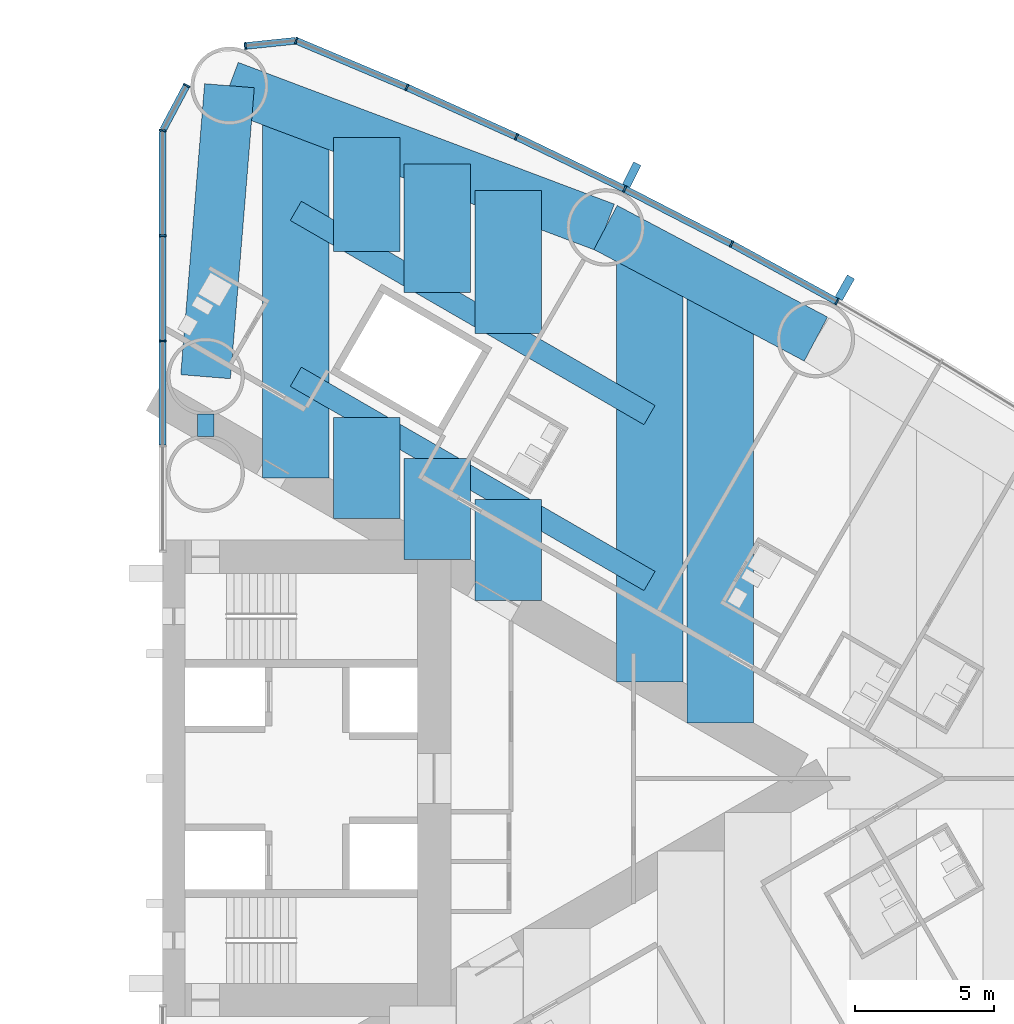
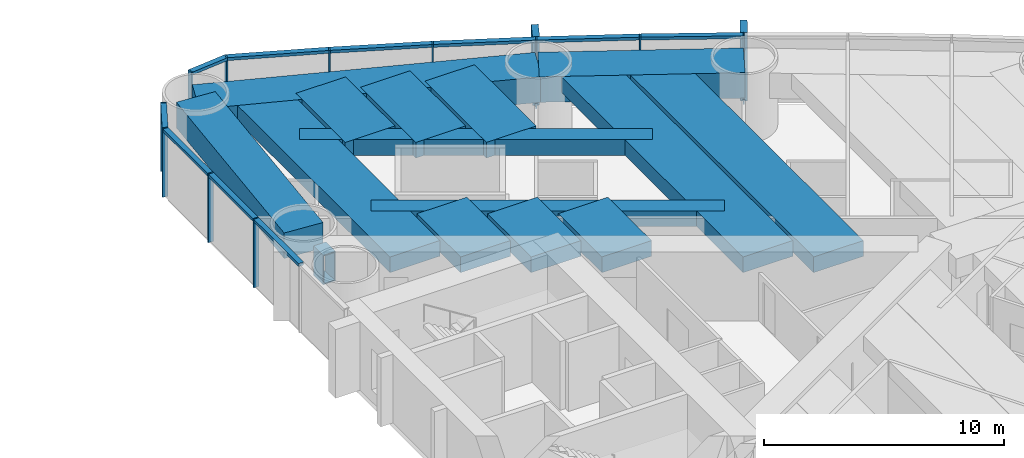
# One storey, part 7 of 19: 23 members, 15 beams, 2 elements without a shape of their own.
"""IFC4 building model written with IfcOpenShell, lengths in metres."""

from ifc_helpers import new_model, si_unit, direction, frame, origin, origin_2d, place, context, subcontext, project, spatial, rectangle, hollow_rectangle, extrude, material, material_profile, profile_set, type_object, element, aggregate, save


model = new_model("IFC4")

# Units and contexts
model_context = context("Model", 3, precision=1e-05, world=origin(), true_north=direction((0.0, 1.0)))
body_context = subcontext(model_context, "Body", "Model", "MODEL_VIEW")
ifc_project = project(units=[si_unit("LENGTHUNIT", "METRE"), si_unit("AREAUNIT", "SQUARE_METRE"), si_unit("VOLUMEUNIT", "CUBIC_METRE"), si_unit("PLANEANGLEUNIT", "RADIAN"), si_unit("MASSUNIT", "GRAM", prefix="KILO")], contexts=[model_context])

# Site, building, storey
site_placement = place(None, origin())
site = spatial("IfcSite", under=ifc_project, at=site_placement, CompositionType="ELEMENT")
building_placement = place(site_placement, origin())
building = spatial("IfcBuilding", under=site, at=building_placement, Name="Lancet Gate Hotel", CompositionType="ELEMENT")
storey_placement = place(building_placement, frame((0.0, 0.0, 25.0)))
storey = spatial("IfcBuildingStorey", under=building, at=storey_placement, Name="L05", CompositionType="ELEMENT", Elevation=25.0)

# Curtain wall, members
ifc_material_1 = material(Name="Aluminium curtain wall", Category="aluminium")
curtain_wall_type = type_object("IfcCurtainWallType", Name="Tower unitised curtain wall", PredefinedType="USERDEFINED", material=ifc_material_1)
curtain_wall_1_placement = place(storey_placement, origin())
curtain_wall_1 = element("IfcCurtainWall", 1, at=curtain_wall_1_placement, inside=storey, type_object=curtain_wall_type, Name="T2 L05 curtain wall 3", ObjectType="UNITISED CURTAIN WALL", PredefinedType="USERDEFINED")
ifc_material_2 = material(Name="Aluminium mullion", Category="aluminium")
ifc_material_profile_1 = material_profile(ifc_material_2, rectangle(XDim=0.06494140625, YDim=0.25, at=origin_2d()), Name="MULLION 65x250")
ifc_profile_set_1 = profile_set([ifc_material_profile_1], Name="Aluminium mullion")
member_type_1 = type_object("IfcMemberType", Name="Aluminium mullion 65x250", PredefinedType="MULLION", material=ifc_profile_set_1)
member_1_placement = place(storey_placement, frame((51.838623046875, 17.208740234375, 0.0), z_axis=(0.0, 0.0, 1.0), x_axis=(-0.871190450382, 0.490945209941, 0.0)))
member_1 = element("IfcMember", 2, at=member_1_placement, type_object=member_type_1, Name="T2 L05 curtain wall 3 mullion 8", PredefinedType="MULLION", context=body_context, shape_type="SweptSolid", body=[
    extrude(rectangle(XDim=0.06494140625, YDim=0.25, at=origin_2d()), origin(), (0.0, 0.0, 1.0), 3.5),
])
member_2_placement = place(storey_placement, frame((48.03271484375, 19.2900390625, 0.0), z_axis=(0.0, 0.0, 1.0), x_axis=(-0.88340346743, 0.468613181347, 0.0)))
member_2 = element("IfcMember", 3, at=member_2_placement, type_object=member_type_1, Name="T2 L05 curtain wall 3 mullion 9", PredefinedType="MULLION", context=body_context, shape_type="SweptSolid", body=[
    extrude(rectangle(XDim=0.06494140625, YDim=0.25, at=origin_2d()), origin(), (0.0, 0.0, 1.0), 3.5),
])
member_3_placement = place(storey_placement, frame((44.17529296875, 21.273681640625, 0.0), z_axis=(0.0, 0.0, 1.0), x_axis=(-0.895044147438, 0.445977548917, 0.0)))
member_3 = element("IfcMember", 4, at=member_3_placement, type_object=member_type_1, Name="T2 L05 curtain wall 3 mullion 10", PredefinedType="MULLION", context=body_context, shape_type="SweptSolid", body=[
    extrude(rectangle(XDim=0.06494140625, YDim=0.25, at=origin_2d()), origin(), (0.0, 0.0, 1.0), 3.5),
])
member_4_placement = place(storey_placement, frame((40.2685546875, 23.15869140625, 0.0), z_axis=(0.0, 0.0, 1.0), x_axis=(-0.906104948671, 0.423052977762, 0.0)))
member_4 = element("IfcMember", 5, at=member_4_placement, type_object=member_type_1, Name="T2 L05 curtain wall 3 mullion 11", PredefinedType="MULLION", context=body_context, shape_type="SweptSolid", body=[
    extrude(rectangle(XDim=0.06494140625, YDim=0.25, at=origin_2d()), origin(), (0.0, 0.0, 1.0), 3.5),
])
member_5_placement = place(storey_placement, frame((36.31494140625, 24.943603515625, 0.0), z_axis=(0.0, 0.0, 1.0), x_axis=(-0.916578705089, 0.399854320193, 0.0)))
member_5 = element("IfcMember", 6, at=member_5_placement, type_object=member_type_1, Name="T2 L05 curtain wall 3 mullion 12", PredefinedType="MULLION", context=body_context, shape_type="SweptSolid", body=[
    extrude(rectangle(XDim=0.06494140625, YDim=0.25, at=origin_2d()), origin(), (0.0, 0.0, 1.0), 3.5),
])
member_6_placement = place(storey_placement, frame((32.3173828125, 26.62744140625, 0.0), z_axis=(0.0, 0.0, 1.0), x_axis=(-0.968721492963, 0.248150496819, 0.0)))
member_6 = element("IfcMember", 7, at=member_6_placement, type_object=member_type_1, Name="T2 L05 curtain wall 3 mullion 13", PredefinedType="MULLION", context=body_context, shape_type="SweptSolid", body=[
    extrude(rectangle(XDim=0.06494140625, YDim=0.25, at=origin_2d()), origin(), (0.0, 0.0, 1.0), 3.5),
])
member_7_placement = place(storey_placement, frame((30.48388671875, 26.4375, 0.0), z_axis=(0.0, 0.0, 1.0), x_axis=(-0.994672262412, -0.10308778001, 0.0)))
member_7 = element("IfcMember", 8, at=member_7_placement, type_object=member_type_1, Name="T2 L05 curtain wall 3 mullion 14", PredefinedType="MULLION", context=body_context, shape_type="SweptSolid", body=[
    extrude(rectangle(XDim=0.06494140625, YDim=0.25, at=origin_2d()), origin(), (0.0, 0.0, 1.0), 3.5),
])

curtain_wall_2_placement = place(storey_placement, origin())
curtain_wall_2 = element("IfcCurtainWall", 9, at=curtain_wall_2_placement, inside=storey, type_object=curtain_wall_type, Name="T2 L05 curtain wall 4", ObjectType="UNITISED CURTAIN WALL", PredefinedType="USERDEFINED")
member_8_placement = place(storey_placement, frame((28.366455078125, 25.012451171875, 0.0), z_axis=(0.0, 0.0, 1.0), x_axis=(-0.469897827284, -0.882720811987, 0.0)))
member_8 = element("IfcMember", 10, at=member_8_placement, type_object=member_type_1, Name="T2 L05 curtain wall 4 mullion 1", PredefinedType="MULLION", context=body_context, shape_type="SweptSolid", body=[
    extrude(rectangle(XDim=0.06494140625, YDim=0.25, at=origin_2d()), origin(), (0.0, 0.0, 1.0), 3.5),
])
member_9_placement = place(storey_placement, frame((27.5, 23.384765625, 0.0), z_axis=(0.0, 0.0, 1.0), x_axis=(-0.157751691459, -0.987478811844, 0.0)))
member_9 = element("IfcMember", 11, at=member_9_placement, type_object=member_type_1, Name="T2 L05 curtain wall 4 mullion 2", PredefinedType="MULLION", context=body_context, shape_type="SweptSolid", body=[
    extrude(rectangle(XDim=0.06494140625, YDim=0.25, at=origin_2d()), origin(), (0.0, 0.0, 1.0), 3.5),
])
member_10_placement = place(storey_placement, frame((27.5, 19.588623046875, 0.0), z_axis=(0.0, 0.0, 1.0), x_axis=(0.0, -1.0, 0.0)))
member_10 = element("IfcMember", 12, at=member_10_placement, type_object=member_type_1, Name="T2 L05 curtain wall 4 mullion 3", PredefinedType="MULLION", context=body_context, shape_type="SweptSolid", body=[
    extrude(rectangle(XDim=0.06494140625, YDim=0.25, at=origin_2d()), origin(), (0.0, 0.0, 1.0), 3.5),
])
member_11_placement = place(storey_placement, frame((27.5, 15.79248046875, 0.0), z_axis=(0.0, 0.0, 1.0), x_axis=(0.0, -1.0, 0.0)))
member_11 = element("IfcMember", 13, at=member_11_placement, type_object=member_type_1, Name="T2 L05 curtain wall 4 mullion 4", PredefinedType="MULLION", context=body_context, shape_type="SweptSolid", body=[
    extrude(rectangle(XDim=0.06494140625, YDim=0.25, at=origin_2d()), origin(), (0.0, 0.0, 1.0), 3.5),
])

# Member
ifc_material_3 = material(Name="Aluminium transom", Category="aluminium")
ifc_material_profile_2 = material_profile(ifc_material_3, rectangle(XDim=0.25, YDim=0.14990234375, at=origin_2d()), Name="TRANSOM 250x150")
ifc_profile_set_2 = profile_set([ifc_material_profile_2], Name="Aluminium transom")
member_type_2 = type_object("IfcMemberType", Name="Aluminium transom 250x150", PredefinedType="USERDEFINED", material=ifc_profile_set_2)
member_12_placement = place(storey_placement, frame((51.81005859375, 17.224365234375, 3.425048828125), z_axis=(-0.877377528879, 0.479800658417, 0.0), x_axis=(-0.479800658417, -0.877377528879, 0.0)))
member_12 = element("IfcMember", 14, at=member_12_placement, type_object=member_type_2, Name="T2 L05 curtain wall 3 transom 8", ObjectType="TRANSOM", PredefinedType="USERDEFINED", context=body_context, shape_type="SweptSolid", body=[
    extrude(rectangle(XDim=0.25, YDim=0.14990234375, at=origin_2d()), origin(), (0.0, 0.0, 1.0), 4.272705078125),
])

member_13_placement = place(storey_placement, frame((48.00390625, 19.304931640625, 3.425048828125), z_axis=(-0.88929576978, 0.457332520002, 0.0), x_axis=(-0.457332520002, -0.88929576978, 0.0)))
member_13 = element("IfcMember", 15, at=member_13_placement, type_object=member_type_2, Name="T2 L05 curtain wall 3 transom 9", ObjectType="TRANSOM", PredefinedType="USERDEFINED", context=body_context, shape_type="SweptSolid", body=[
    extrude(rectangle(XDim=0.25, YDim=0.14990234375, at=origin_2d()), origin(), (0.0, 0.0, 1.0), 4.272705078125),
])

member_14_placement = place(storey_placement, frame((44.14599609375, 21.287841796875, 3.425048828125), z_axis=(-0.900646499888, 0.434552508035, 0.0), x_axis=(-0.434552508035, -0.900646499888, 0.0)))
member_14 = element("IfcMember", 16, at=member_14_placement, type_object=member_type_2, Name="T2 L05 curtain wall 3 transom 10", ObjectType="TRANSOM", PredefinedType="USERDEFINED", context=body_context, shape_type="SweptSolid", body=[
    extrude(rectangle(XDim=0.25, YDim=0.14990234375, at=origin_2d()), origin(), (0.0, 0.0, 1.0), 4.272705078125),
])

member_15_placement = place(storey_placement, frame((40.23876953125, 23.172119140625, 3.425048828125), z_axis=(-0.911396871737, 0.411528543589, 0.0), x_axis=(-0.411528543589, -0.911396871737, 0.0)))
member_15 = element("IfcMember", 17, at=member_15_placement, type_object=member_type_2, Name="T2 L05 curtain wall 3 transom 11", ObjectType="TRANSOM", PredefinedType="USERDEFINED", context=body_context, shape_type="SweptSolid", body=[
    extrude(rectangle(XDim=0.25, YDim=0.14990234375, at=origin_2d()), origin(), (0.0, 0.0, 1.0), 4.272705078125),
])

member_16_placement = place(storey_placement, frame((36.28515625, 24.956298828125, 3.425048828125), z_axis=(-0.92159772617, 0.388146404233, 0.0), x_axis=(-0.388146404233, -0.92159772617, 0.0)))
member_16 = element("IfcMember", 18, at=member_16_placement, type_object=member_type_2, Name="T2 L05 curtain wall 3 transom 12", ObjectType="TRANSOM", PredefinedType="USERDEFINED", context=body_context, shape_type="SweptSolid", body=[
    extrude(rectangle(XDim=0.25, YDim=0.14990234375, at=origin_2d()), origin(), (0.0, 0.0, 1.0), 4.272705078125),
])

member_17_placement = place(storey_placement, frame((32.28515625, 26.6240234375, 3.425048828125), z_axis=(-0.994670452051, -0.103105246306, 0.0), x_axis=(0.103105246306, -0.994670452051, 0.0)))
member_17 = element("IfcMember", 19, at=member_17_placement, type_object=member_type_2, Name="T2 L05 curtain wall 3 transom 13", ObjectType="TRANSOM", PredefinedType="USERDEFINED", context=body_context, shape_type="SweptSolid", body=[
    extrude(rectangle(XDim=0.25, YDim=0.14990234375, at=origin_2d()), origin(), (0.0, 0.0, 1.0), 1.7783203125),
])

member_18_placement = place(storey_placement, frame((28.351318359375, 24.98388671875, 3.425048828125), z_axis=(-0.469904276347, -0.882717378933, 0.0), x_axis=(0.882717378933, -0.469904276347, 0.0)))
member_18 = element("IfcMember", 20, at=member_18_placement, type_object=member_type_2, Name="T2 L05 curtain wall 4 transom 1", ObjectType="TRANSOM", PredefinedType="USERDEFINED", context=body_context, shape_type="SweptSolid", body=[
    extrude(rectangle(XDim=0.25, YDim=0.14990234375, at=origin_2d()), origin(), (0.0, 0.0, 1.0), 1.779052734375),
])

member_19_placement = place(storey_placement, frame((27.5, 23.352294921875, 3.425048828125), z_axis=(0.0, -1.0, 0.0), x_axis=(1.0, 0.0, 0.0)))
member_19 = element("IfcMember", 21, at=member_19_placement, type_object=member_type_2, Name="T2 L05 curtain wall 4 transom 2", ObjectType="TRANSOM", PredefinedType="USERDEFINED", context=body_context, shape_type="SweptSolid", body=[
    extrude(rectangle(XDim=0.25, YDim=0.14990234375, at=origin_2d()), origin(), (0.0, 0.0, 1.0), 3.731201171875),
])

member_20_placement = place(storey_placement, frame((27.5, 19.55615234375, 3.425048828125), z_axis=(0.0, -1.0, 0.0), x_axis=(1.0, 0.0, 0.0)))
member_20 = element("IfcMember", 22, at=member_20_placement, type_object=member_type_2, Name="T2 L05 curtain wall 4 transom 3", ObjectType="TRANSOM", PredefinedType="USERDEFINED", context=body_context, shape_type="SweptSolid", body=[
    extrude(rectangle(XDim=0.25, YDim=0.14990234375, at=origin_2d()), origin(), (0.0, 0.0, 1.0), 3.731201171875),
])

member_21_placement = place(storey_placement, frame((27.5, 15.760009765625, 3.425048828125), z_axis=(0.0, -1.0, 0.0), x_axis=(1.0, 0.0, 0.0)))
member_21 = element("IfcMember", 23, at=member_21_placement, type_object=member_type_2, Name="T2 L05 curtain wall 4 transom 4", ObjectType="TRANSOM", PredefinedType="USERDEFINED", context=body_context, shape_type="SweptSolid", body=[
    extrude(rectangle(XDim=0.25, YDim=0.14990234375, at=origin_2d()), origin(), (0.0, 0.0, 1.0), 3.731201171875),
])

aggregate(curtain_wall_2, [member_8, member_9, member_10, member_11, member_18, member_19, member_20, member_21])

# Beams
ifc_material_4 = material(Name="Concrete C50/60", Category="concrete")
ifc_material_profile_3 = material_profile(ifc_material_4, rectangle(XDim=1.800048828125, YDim=1.300048828125, at=origin_2d()), Name="RC 1800x1300")
ifc_profile_set_3 = profile_set([ifc_material_profile_3], Name="Concrete C50/60")
beam_type_1 = type_object("IfcBeamType", Name="Edge beam RC 1800x1300", PredefinedType="SPANDREL", material=ifc_profile_set_3)
beam_1_placement = place(storey_placement, frame((51.07763671875, 15.8583984375, 2.60009765625), z_axis=(-0.883403493655, 0.46861313191, 0.0), x_axis=(-0.46861313191, -0.883403493655, 0.0)))
element("IfcBeam", 24, at=beam_1_placement, inside=storey, type_object=beam_type_1, Name="T2 edge beam EB1 L05", PredefinedType="SPANDREL", context=body_context, shape_type="SweptSolid", body=[
    extrude(rectangle(XDim=1.800048828125, YDim=1.300048828125, at=origin_2d()), origin(), (0.0, 0.0, 1.0), 8.595703125),
])
beam_2_placement = place(storey_placement, frame((43.484130859375, 19.886474609375, 2.60009765625), z_axis=(-0.935736448066, 0.352700013836, 0.0), x_axis=(-0.352700013836, -0.935736448066, 0.0)))
element("IfcBeam", 25, at=beam_2_placement, inside=storey, type_object=beam_type_1, Name="T2 edge beam EB1 L05", PredefinedType="SPANDREL", context=body_context, shape_type="SweptSolid", body=[
    extrude(rectangle(XDim=1.800048828125, YDim=1.300048828125, at=origin_2d()), origin(), (0.0, 0.0, 1.0), 14.505126953125),
])
beam_3_placement = place(storey_placement, frame((29.050048828125, 14.5, 2.60009765625), z_axis=(0.081714744052, 0.996655758326, 0.0), x_axis=(-0.996655758326, 0.081714744052, 0.0)))
element("IfcBeam", 26, at=beam_3_placement, inside=storey, type_object=beam_type_1, Name="T2 edge beam EB1 L05", PredefinedType="SPANDREL", context=body_context, shape_type="SweptSolid", body=[
    extrude(rectangle(XDim=1.800048828125, YDim=1.300048828125, at=origin_2d()), origin(), (0.0, 0.0, 1.0), 10.53759765625),
])

# Member
ifc_material_5 = material(Name="Precast concrete C50/60", Category="concrete")
ifc_material_profile_4 = material_profile(ifc_material_5, rectangle(XDim=0.300048828125, YDim=0.89990234375, at=origin_2d()), Name="FIN 300x900")
ifc_profile_set_4 = profile_set([ifc_material_profile_4], Name="Precast concrete C50/60")
member_type_3 = type_object("IfcMemberType", Name="Exposed concrete fin 300x900", PredefinedType="USERDEFINED", material=ifc_profile_set_4)
member_22_placement = place(storey_placement, frame((52.120849609375, 17.709716796875, 0.0), z_axis=(0.0, 0.0, 1.0), x_axis=(-0.871190450382, 0.490945209941, 0.0)))
member_22 = element("IfcMember", 27, at=member_22_placement, type_object=member_type_3, Name="T2 L05 curtain wall 3 fin 8", ObjectType="FIN", PredefinedType="USERDEFINED", context=body_context, shape_type="SweptSolid", body=[
    extrude(rectangle(XDim=0.300048828125, YDim=0.89990234375, at=origin_2d()), origin(), (0.0, 0.0, 1.0), 3.5),
])

member_23_placement = place(storey_placement, frame((44.431640625, 21.788330078125, 0.0), z_axis=(0.0, 0.0, 1.0), x_axis=(-0.895044147438, 0.445977548917, 0.0)))
member_23 = element("IfcMember", 28, at=member_23_placement, type_object=member_type_3, Name="T2 L05 curtain wall 3 fin 10", ObjectType="FIN", PredefinedType="USERDEFINED", context=body_context, shape_type="SweptSolid", body=[
    extrude(rectangle(XDim=0.300048828125, YDim=0.89990234375, at=origin_2d()), origin(), (0.0, 0.0, 1.0), 3.5),
])

aggregate(curtain_wall_1, [member_1, member_22, member_2, member_3, member_23, member_4, member_5, member_6, member_7, member_12, member_13, member_14, member_15, member_16, member_17])

# Beams
ifc_material_6 = material(Name="Concrete C50/60", Category="concrete")
ifc_material_profile_5 = material_profile(ifc_material_6, rectangle(XDim=2.39990234375, YDim=0.800048828125, at=origin_2d()), Name="RC 2400x800")
ifc_profile_set_5 = profile_set([ifc_material_profile_5], Name="Concrete C50/60")
beam_type_2 = type_object("IfcBeamType", Name="Floor beam RC 2400x800", PredefinedType="BEAM", material=ifc_profile_set_5)
beam_4_placement = place(storey_placement, frame((32.306396484375, 10.851806640625, 2.85009765625), z_axis=(0.0, 1.0, 0.0), x_axis=(-1.0, 0.0, 0.0)))
element("IfcBeam", 29, at=beam_4_placement, inside=storey, type_object=beam_type_2, Name="T2 floor beam F04N L05", PredefinedType="BEAM", context=body_context, shape_type="SweptSolid", body=[
    extrude(rectangle(XDim=2.39990234375, YDim=0.800048828125, at=origin_2d()), origin(), (0.0, 0.0, 1.0), 13.247802734375),
])
beam_5_placement = place(storey_placement, frame((45.072265625, 3.4814453125, 2.85009765625), z_axis=(0.0, 1.0, 0.0), x_axis=(-1.0, 0.0, 0.0)))
element("IfcBeam", 30, at=beam_5_placement, inside=storey, type_object=beam_type_2, Name="T2 floor beam F12N L05", PredefinedType="BEAM", context=body_context, shape_type="SweptSolid", body=[
    extrude(rectangle(XDim=2.39990234375, YDim=0.800048828125, at=origin_2d()), origin(), (0.0, 0.0, 1.0), 15.5625),
])
beam_6_placement = place(storey_placement, frame((47.62548828125, 2.00732421875, 2.85009765625), z_axis=(0.0, 1.0, 0.0), x_axis=(-1.0, 0.0, 0.0)))
element("IfcBeam", 31, at=beam_6_placement, inside=storey, type_object=beam_type_2, Name="T2 floor beam F14N L05", PredefinedType="BEAM", context=body_context, shape_type="SweptSolid", body=[
    extrude(rectangle(XDim=2.39990234375, YDim=0.800048828125, at=origin_2d()), origin(), (0.0, 0.0, 1.0), 15.68212890625),
])
beam_7_placement = place(storey_placement, frame((34.859619140625, 9.377685546875, 2.85009765625), z_axis=(0.0, 1.0, 0.0), x_axis=(-1.0, 0.0, 0.0)))
element("IfcBeam", 32, at=beam_7_placement, inside=storey, type_object=beam_type_2, Name="T2 floor beam F06NA L05", PredefinedType="BEAM", context=body_context, shape_type="SweptSolid", body=[
    extrude(rectangle(XDim=2.39990234375, YDim=0.800048828125, at=origin_2d()), origin(), (0.0, 0.0, 1.0), 3.645751953125),
])
beam_8_placement = place(storey_placement, frame((34.859619140625, 19.011474609375, 2.85009765625), z_axis=(0.0, 1.0, 0.0), x_axis=(-1.0, 0.0, 0.0)))
element("IfcBeam", 33, at=beam_8_placement, inside=storey, type_object=beam_type_2, Name="T2 floor beam F06NB L05", PredefinedType="BEAM", context=body_context, shape_type="SweptSolid", body=[
    extrude(rectangle(XDim=2.39990234375, YDim=0.800048828125, at=origin_2d()), origin(), (0.0, 0.0, 1.0), 4.125732421875),
])
beam_9_placement = place(storey_placement, frame((37.412841796875, 7.903564453125, 2.85009765625), z_axis=(0.0, 1.0, 0.0), x_axis=(-1.0, 0.0, 0.0)))
element("IfcBeam", 34, at=beam_9_placement, inside=storey, type_object=beam_type_2, Name="T2 floor beam F08NA L05", PredefinedType="BEAM", context=body_context, shape_type="SweptSolid", body=[
    extrude(rectangle(XDim=2.39990234375, YDim=0.800048828125, at=origin_2d()), origin(), (0.0, 0.0, 1.0), 3.6455078125),
])
beam_10_placement = place(storey_placement, frame((37.412841796875, 17.537109375, 2.85009765625), z_axis=(0.0, 1.0, 0.0), x_axis=(-1.0, 0.0, 0.0)))
element("IfcBeam", 35, at=beam_10_placement, inside=storey, type_object=beam_type_2, Name="T2 floor beam F08NB L05", PredefinedType="BEAM", context=body_context, shape_type="SweptSolid", body=[
    extrude(rectangle(XDim=2.39990234375, YDim=0.800048828125, at=origin_2d()), origin(), (0.0, 0.0, 1.0), 4.6376953125),
])
beam_11_placement = place(storey_placement, frame((39.9658203125, 6.429443359375, 2.85009765625), z_axis=(0.0, 1.0, 0.0), x_axis=(-1.0, 0.0, 0.0)))
element("IfcBeam", 36, at=beam_11_placement, inside=storey, type_object=beam_type_2, Name="T2 floor beam F10NA L05", PredefinedType="BEAM", context=body_context, shape_type="SweptSolid", body=[
    extrude(rectangle(XDim=2.39990234375, YDim=0.800048828125, at=origin_2d()), origin(), (0.0, 0.0, 1.0), 3.64501953125),
])
beam_12_placement = place(storey_placement, frame((39.9658203125, 16.062744140625, 2.85009765625), z_axis=(0.0, 1.0, 0.0), x_axis=(-1.0, 0.0, 0.0)))
element("IfcBeam", 37, at=beam_12_placement, inside=storey, type_object=beam_type_2, Name="T2 floor beam F10NB L05", PredefinedType="BEAM", context=body_context, shape_type="SweptSolid", body=[
    extrude(rectangle(XDim=2.39990234375, YDim=0.800048828125, at=origin_2d()), origin(), (0.0, 0.0, 1.0), 5.14990234375),
])
ifc_material_7 = material(Name="Steel S460QL", Category="steel")
ifc_material_profile_6 = material_profile(ifc_material_7, hollow_rectangle(XDim=0.60009765625, YDim=1.5, WallThickness=0.050048828125, at=origin_2d()), Name="BOX 1500x600x50")
ifc_profile_set_6 = profile_set([ifc_material_profile_6], Name="Steel S460QL")
beam_type_3 = type_object("IfcBeamType", Name="Inner-face link beam BOX 1500x600x50", PredefinedType="BEAM", material=ifc_profile_set_6)
beam_13_placement = place(storey_placement, frame((29.050048828125, 12.35009765625, 2.5), z_axis=(0.0, 1.0, 0.0), x_axis=(-1.0, 0.0, 0.0)))
element("IfcBeam", 38, at=beam_13_placement, inside=storey, type_object=beam_type_3, Name="T2 inner-face link beam LK1 L05", PredefinedType="BEAM", context=body_context, shape_type="SweptSolid", body=[
    extrude(hollow_rectangle(XDim=0.60009765625, YDim=1.5, WallThickness=0.050048828125, at=origin_2d()), origin(), (0.0, 0.0, 1.0), 0.7998046875),
])
ifc_material_8 = material(Name="Steel S460QL", Category="steel")
ifc_material_profile_7 = material_profile(ifc_material_8, hollow_rectangle(XDim=0.800048828125, YDim=0.800048828125, WallThickness=0.080078125, at=origin_2d()), Name="BOX 800x800x80")
ifc_profile_set_7 = profile_set([ifc_material_profile_7], Name="Steel S460QL")
beam_type_4 = type_object("IfcBeamType", Name="Trimmer beam BOX 800x800x80", PredefinedType="BEAM", material=ifc_profile_set_7)
beam_14_placement = place(storey_placement, frame((32.306396484375, 20.48583984375, 2.85009765625), z_axis=(0.86598286195, -0.500073677381, 0.0), x_axis=(0.500073677381, 0.86598286195, 0.0)))
element("IfcBeam", 39, at=beam_14_placement, inside=storey, type_object=beam_type_4, Name="T2 trimmer beam TR03N L05", PredefinedType="BEAM", context=body_context, shape_type="SweptSolid", body=[
    extrude(hollow_rectangle(XDim=0.800048828125, YDim=0.800048828125, WallThickness=0.080078125, at=origin_2d()), origin(), (0.0, 0.0, 1.0), 14.741455078125),
])
beam_15_placement = place(storey_placement, frame((32.306396484375, 14.497802734375, 2.85009765625), z_axis=(0.865975689888, -0.500086097111, 0.0), x_axis=(0.500086097111, 0.865975689888, 0.0)))
element("IfcBeam", 40, at=beam_15_placement, inside=storey, type_object=beam_type_4, Name="T2 trimmer beam TR04N L05", PredefinedType="BEAM", context=body_context, shape_type="SweptSolid", body=[
    extrude(hollow_rectangle(XDim=0.800048828125, YDim=0.800048828125, WallThickness=0.080078125, at=origin_2d()), origin(), (0.0, 0.0, 1.0), 14.74169921875),
])

save(model, "model.ifc")
